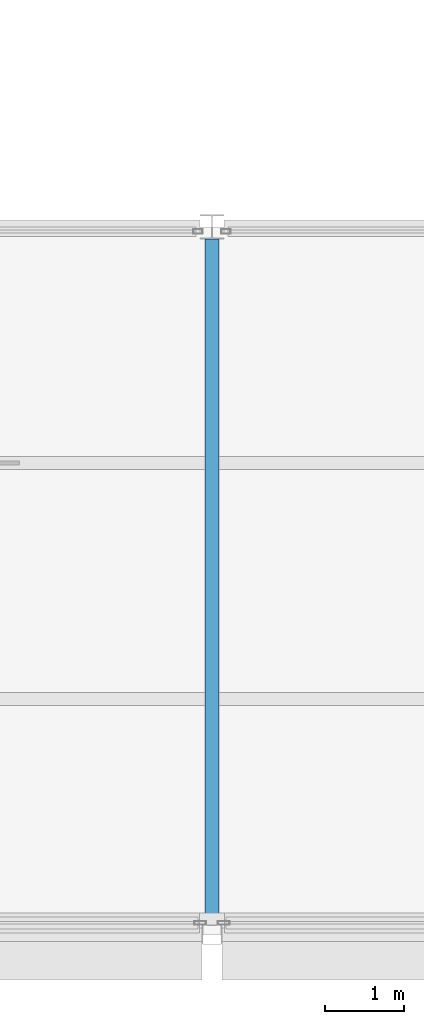
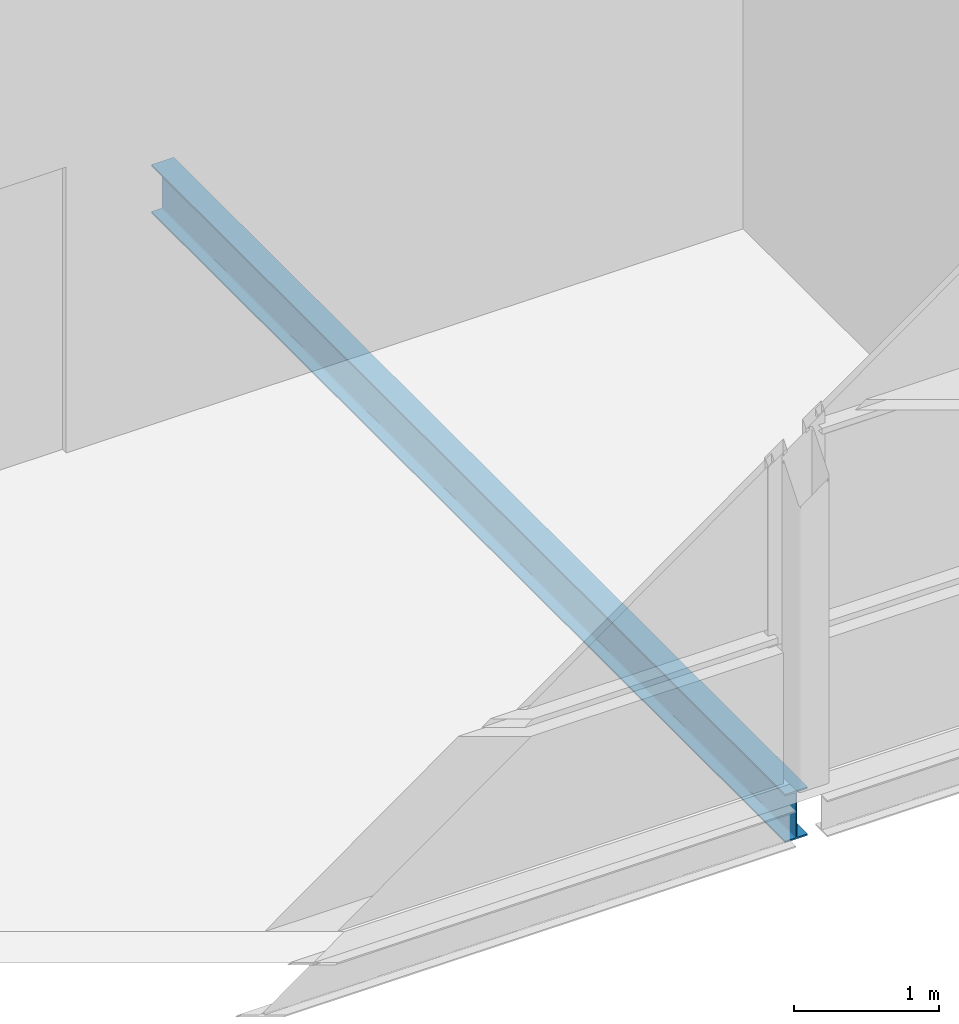
# One storey, part 36 of 94: 1 beam.
"""IFC4 building model written with IfcOpenShell, lengths in metres."""

from ifc_helpers import new_model, si_unit, direction, frame, origin, origin_2d, place, context, subcontext, project, spatial, i_section, extrude, material, material_profile, profile_set, type_object, element, save


model = new_model("IFC4")

# Units and contexts
model_context = context("Model", 3, precision=1e-05, world=origin(), true_north=direction((0.0, 1.0)))
body_context = subcontext(model_context, "Body", "Model", "MODEL_VIEW")
ifc_project = project(units=[si_unit("LENGTHUNIT", "METRE"), si_unit("AREAUNIT", "SQUARE_METRE"), si_unit("VOLUMEUNIT", "CUBIC_METRE"), si_unit("PLANEANGLEUNIT", "RADIAN"), si_unit("MASSUNIT", "GRAM", prefix="KILO")], contexts=[model_context])

# Site, building, storey
site_placement = place(None, origin())
site = spatial("IfcSite", under=ifc_project, at=site_placement, CompositionType="ELEMENT")
building_placement = place(site_placement, origin())
building = spatial("IfcBuilding", under=site, at=building_placement, Name="Shorebreak Coast Museum", CompositionType="ELEMENT")
storey_placement = place(building_placement, frame((0.0, 0.0, 31.0)))
storey = spatial("IfcBuildingStorey", under=building, at=storey_placement, Name="L05", CompositionType="ELEMENT", Elevation=31.0)

# Beam
ifc_material = material(Name="Steel Grade 300", Category="steel")
ifc_material_profile = material_profile(ifc_material, i_section(OverallWidth=0.177978515625, OverallDepth=0.406494140625, WebThickness=0.0078125, FlangeThickness=0.0126953125, FilletRadius=0.011474609375, at=origin_2d()), Name="410UB59.7")
ifc_profile_set = profile_set([ifc_material_profile], Name="Steel Grade 300")
beam_type = type_object("IfcBeamType", Name="Floor girder north-south 410UB59.7", PredefinedType="BEAM", material=ifc_profile_set)
beam_placement = place(storey_placement, frame((99.0, 54.125, -0.378173828125), z_axis=(0.0, 1.0, 0.0), x_axis=(-1.0, 0.0, 0.0)))
element("IfcBeam", 1, at=beam_placement, inside=storey, type_object=beam_type, Name="Floor girder north-south L05 12G", PredefinedType="BEAM", context=body_context, shape_type="SweptSolid", body=[
    extrude(i_section(OverallWidth=0.177978515625, OverallDepth=0.406494140625, WebThickness=0.0078125, FlangeThickness=0.0126953125, FilletRadius=0.011474609375, at=origin_2d()), origin(), (0.0, 0.0, 1.0), 8.7177734375),
])

save(model, "model.ifc")
